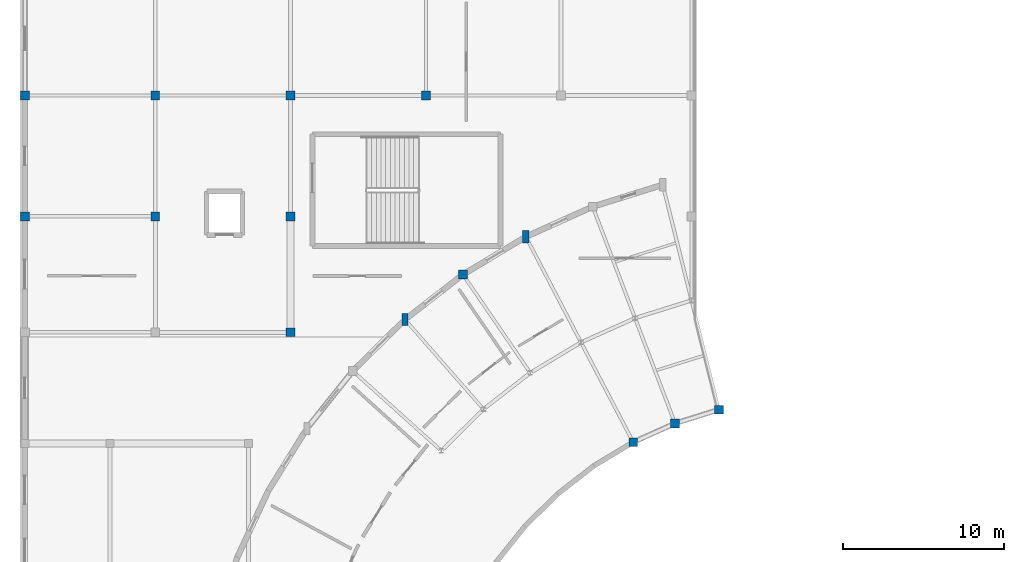
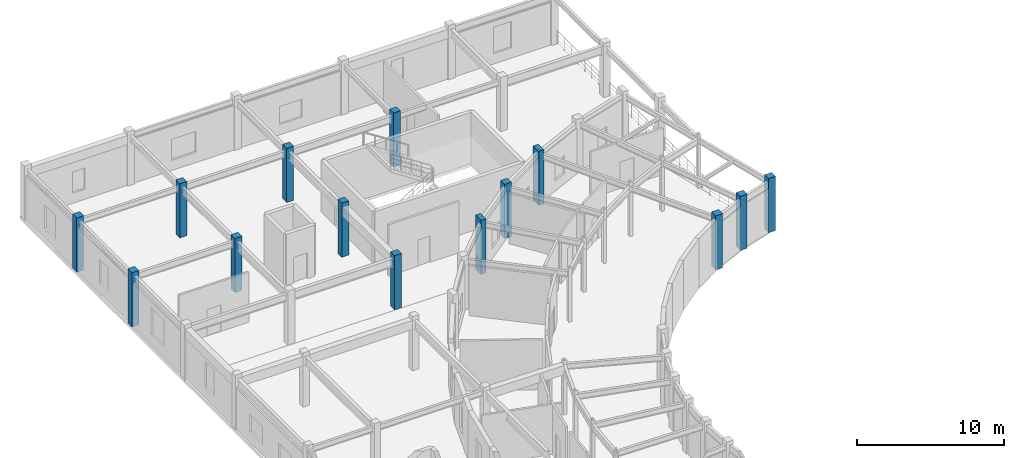
# One storey, part 9 of 60: 14 columns.
"""IFC4 building model written with IfcOpenShell, lengths in metres."""

from ifc_helpers import new_model, si_unit, direction, frame, origin, origin_2d, place, context, subcontext, project, spatial, rectangle, extrude, material, material_profile, profile_set, type_object, element, save


model = new_model("IFC4")

# Units and contexts
model_context = context("Model", 3, precision=1e-05, world=origin(), true_north=direction((0.0, 1.0)))
body_context = subcontext(model_context, "Body", "Model", "MODEL_VIEW")
ifc_project = project(units=[si_unit("LENGTHUNIT", "METRE"), si_unit("AREAUNIT", "SQUARE_METRE"), si_unit("VOLUMEUNIT", "CUBIC_METRE"), si_unit("PLANEANGLEUNIT", "RADIAN"), si_unit("MASSUNIT", "GRAM", prefix="KILO")], contexts=[model_context])

# Site, building, storey
site_placement = place(None, origin())
site = spatial("IfcSite", under=ifc_project, at=site_placement, CompositionType="ELEMENT")
building_placement = place(site_placement, origin())
building = spatial("IfcBuilding", under=site, at=building_placement, Name="Cinderbank Siding Concert Hall", CompositionType="ELEMENT")
storey_placement = place(building_placement, frame((0.0, 0.0, 14.699951171875)))
storey = spatial("IfcBuildingStorey", under=building, at=storey_placement, Name="L04", CompositionType="ELEMENT", Elevation=14.699951171875)

# Columns
ifc_material = material(Name="Reinforced concrete AS 3600 N50 (50 MPa)", Category="concrete")
ifc_material_profile_1 = material_profile(ifc_material, rectangle(XDim=0.550048828125, YDim=0.550048828125, at=origin_2d()), Name="RC-COL-550x550", Category="LoadBearing")
ifc_profile_set_1 = profile_set([ifc_material_profile_1], Name="Reinforced concrete AS 3600 N50 (50 MPa)")
column_type_1 = type_object("IfcColumnType", Name="C-RC550 RC-COL-550x550", PredefinedType="COLUMN", material=ifc_profile_set_1)
for number, where, z_axis, x_axis, name in (
    (1, (50.194091796875, 91.287109375, 0.0), (0.0, 0.0, 1.0), (1.0, 0.0, 0.0), "L04 Column COL-WIN-01"),
    (2, (47.47705078125, 90.43603515625, 0.0), (0.0, 0.0, 1.0), (1.0, 0.0, 0.0), "L04 Column COL-WIN-02"),
    (3, (44.881103515625, 89.26904296875, 0.0), (0.0, 0.0, 1.0), (1.0, 0.0, 0.0), "L04 Column COL-WIN-03"),
    (4, (34.304931640625, 99.68408203125, 0.0), (0.0, 0.0, 1.0), (1.0, 0.0, 0.0), "L04 Column COL-WOUT-04"),
    (5, (7.10009765625, 103.300048828125, 0.0), (0.0, 0.0, 1.0), (1.0, 0.0, 0.0), "L04 Column COL-NW-1-2"),
    (6, (7.10009765625, 110.800048828125, 0.0), (0.0, 0.0, 1.0), (1.0, 0.0, 0.0), "L04 Column COL-NW-1-3"),
    (7, (15.199951171875, 103.300048828125, 0.0), (0.0, 0.0, 1.0), (1.0, 0.0, 0.0), "L04 Column COL-NW-2-2"),
    (8, (15.199951171875, 110.800048828125, 0.0), (0.0, 0.0, 1.0), (1.0, 0.0, 0.0), "L04 Column COL-NW-2-3"),
    (9, (23.60009765625, 96.10009765625, 0.0), (0.0, 0.0, 1.0), (1.0, 0.0, 0.0), "L04 Column COL-NW-3-1"),
    (10, (23.60009765625, 103.300048828125, 0.0), (0.0, 0.0, 1.0), (1.0, 0.0, 0.0), "L04 Column COL-NW-3-2"),
    (11, (23.60009765625, 110.800048828125, 0.0), (0.0, 0.0, 1.0), (1.0, 0.0, 0.0), "L04 Column COL-NW-3-3"),
    (12, (32.0, 110.800048828125, 0.0), (0.0, 0.0, 1.0), (1.0, 0.0, 0.0), "L04 Column COL-NW-4-3"),
):
    element("IfcColumn", number, at=place(storey_placement, frame(where, z_axis=z_axis, x_axis=x_axis)), inside=storey, type_object=column_type_1, Name=name, PredefinedType="COLUMN", context=body_context, shape_type="SweptSolid", body=[
        extrude(rectangle(XDim=0.550048828125, YDim=0.550048828125, at=origin_2d()), origin(), (0.0, 0.0, 1.0), 4.5),
    ])
ifc_material_profile_2 = material_profile(ifc_material, rectangle(XDim=0.39990234375, YDim=0.75, at=origin_2d()), Name="RC-PIER-400x750", Category="LoadBearing")
ifc_profile_set_2 = profile_set([ifc_material_profile_2], Name="Reinforced concrete AS 3600 N50 (50 MPa)")
column_type_2 = type_object("IfcColumnType", Name="PL-RC750 RC-PIER-400x750", PredefinedType="PILASTER", material=ifc_profile_set_2)
for number, where, z_axis, x_axis, name in (
    (13, (38.208984375, 102.030029296875, 0.0), (0.0, 0.0, 1.0), (1.0, 0.0, 0.0), "L04 Column COL-WOUT-03"),
    (14, (30.7060546875, 96.89306640625, 0.0), (0.0, 0.0, 1.0), (1.0, 0.0, 0.0), "L04 Column COL-WOUT-05"),
):
    element("IfcColumn", number, at=place(storey_placement, frame(where, z_axis=z_axis, x_axis=x_axis)), inside=storey, type_object=column_type_2, Name=name, PredefinedType="PILASTER", context=body_context, shape_type="SweptSolid", body=[
        extrude(rectangle(XDim=0.39990234375, YDim=0.75, at=origin_2d()), origin(), (0.0, 0.0, 1.0), 4.5),
    ])

save(model, "model.ifc")
